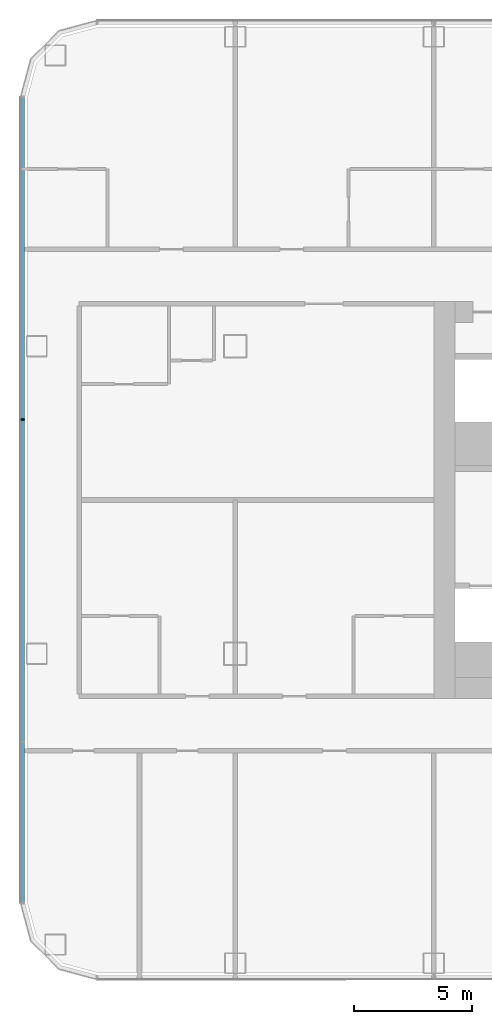
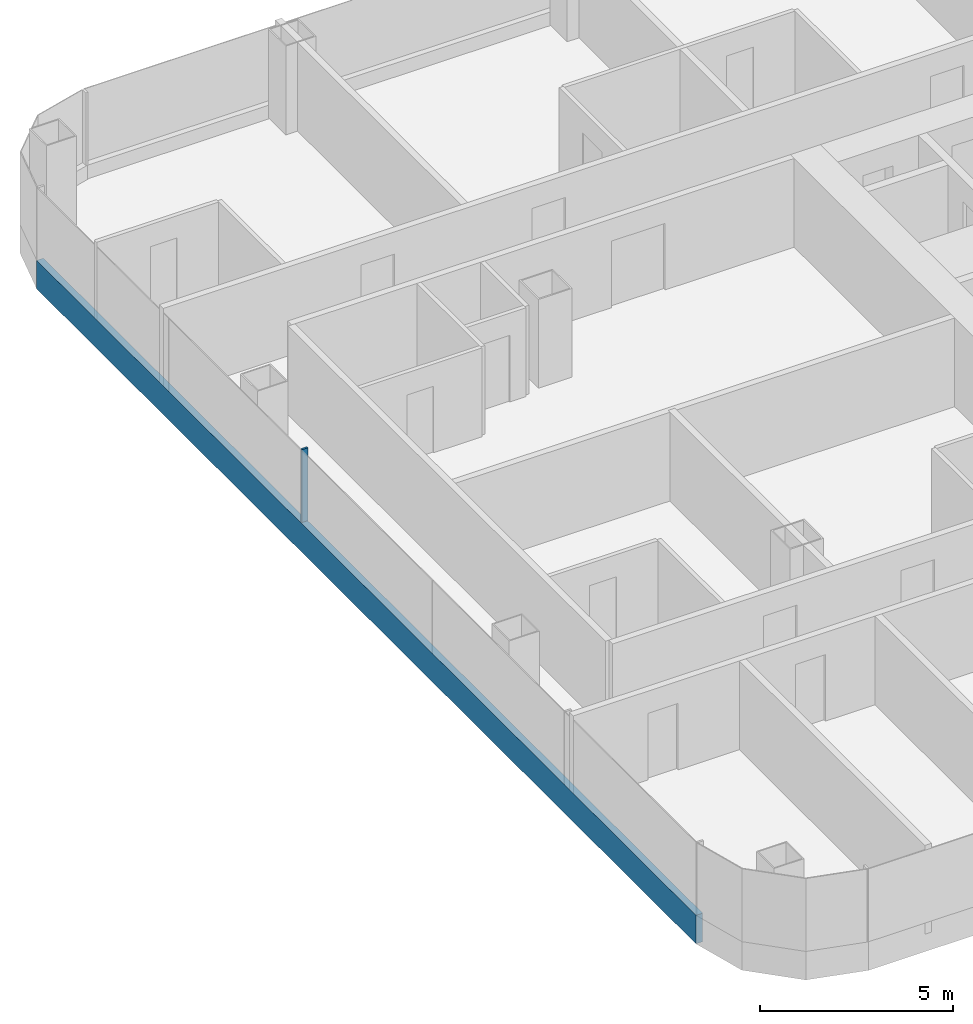
# One storey, part 3 of 28: 2 members, 1 element without a shape of its own.
"""IFC4 building model written with IfcOpenShell, lengths in metres."""

from ifc_helpers import new_model, si_unit, direction, frame, origin, origin_2d, place, context, subcontext, project, spatial, rectangle, extrude, material, layer, layer_set, material_profile, profile_set, type_object, element, aggregate, save


model = new_model("IFC4")

# Units and contexts
model_context = context("Model", 3, precision=1e-05, world=origin(), true_north=direction((0.0, 1.0)))
body_context = subcontext(model_context, "Body", "Model", "MODEL_VIEW")
ifc_project = project(units=[si_unit("LENGTHUNIT", "METRE"), si_unit("AREAUNIT", "SQUARE_METRE"), si_unit("VOLUMEUNIT", "CUBIC_METRE"), si_unit("PLANEANGLEUNIT", "RADIAN"), si_unit("MASSUNIT", "GRAM", prefix="KILO")], contexts=[model_context])

# Site, building, storey
site_placement = place(None, origin())
site = spatial("IfcSite", under=ifc_project, at=site_placement, CompositionType="ELEMENT")
building_placement = place(site_placement, origin())
building = spatial("IfcBuilding", under=site, at=building_placement, Name="Hakoniwa Tower and Hamabe Station Hall", CompositionType="ELEMENT")
storey_placement = place(building_placement, frame((0.0, 0.0, 58.199951171875)))
storey = spatial("IfcBuildingStorey", under=building, at=storey_placement, Name="L16", CompositionType="ELEMENT", Elevation=58.199951171875)

# Curtain wall, members
ifc_material_1 = material(Name="Dark low-e laminated glass", Category="glass")
ifc_layer = layer(ifc_material_1, 0.199951171875)
ifc_layer_set = layer_set([ifc_layer], Name="CW-1 UNITISED GUEST")
curtain_wall_type = type_object("IfcCurtainWallType", Name="CW-1 UNITISED GUEST", PredefinedType="NOTDEFINED", material=ifc_layer_set)
curtain_wall_placement = place(storey_placement, origin())
curtain_wall = element("IfcCurtainWall", 1, at=curtain_wall_placement, inside=storey, type_object=curtain_wall_type, Name="CW-1 curtain wall", PredefinedType="NOTDEFINED")
ifc_material_2 = material(Name="Aluminium 6063-T5 black anodised", Category="aluminium")
ifc_material_profile_1 = material_profile(ifc_material_2, rectangle(XDim=0.199951171875, YDim=0.89990234375, at=origin_2d()), Name="CW SLAB-EDGE BAND 900X200")
ifc_profile_set_1 = profile_set([ifc_material_profile_1], Name="Aluminium 6063-T5 black anodised")
member_type_1 = type_object("IfcMemberType", Name="CW SLAB-EDGE BAND 900X200", PredefinedType="USERDEFINED", material=ifc_profile_set_1)
member_1_placement = place(storey_placement, frame((-51.0, 17.03955078125, -0.099853515625), z_axis=(0.0, -1.0, 0.0), x_axis=(1.0, 0.0, 0.0)))
member_1 = element("IfcMember", 2, at=member_1_placement, type_object=member_type_1, Name="CW-1 transom", ObjectType="TRANSOM", PredefinedType="USERDEFINED", context=body_context, shape_type="SweptSolid", body=[
    extrude(rectangle(XDim=0.199951171875, YDim=0.89990234375, at=origin_2d()), origin(), (0.0, 0.0, 1.0), 34.0791015625),
])
ifc_material_3 = material(Name="Aluminium 6063-T5 black anodised", Category="aluminium")
ifc_material_profile_2 = material_profile(ifc_material_3, rectangle(XDim=0.06005859375, YDim=0.179931640625, at=origin_2d()), Name="CW-1 MULLION 60X180")
ifc_profile_set_2 = profile_set([ifc_material_profile_2], Name="Aluminium 6063-T5 black anodised")
member_type_2 = type_object("IfcMemberType", Name="CW-1 MULLION 60X180", PredefinedType="MULLION", material=ifc_profile_set_2)
member_2_placement = place(storey_placement, frame((-50.98193359375, 3.407958984375, 0.35009765625), z_axis=(0.0, 0.0, 1.0), x_axis=(0.0, -1.0, 0.0)))
member_2 = element("IfcMember", 3, at=member_2_placement, type_object=member_type_2, Name="CW-1 mullion", PredefinedType="MULLION", context=body_context, shape_type="SweptSolid", body=[
    extrude(rectangle(XDim=0.06005859375, YDim=0.179931640625, at=origin_2d()), origin(), (0.0, 0.0, 1.0), 2.300048828125),
])
aggregate(curtain_wall, [member_2, member_1])

save(model, "model.ifc")
